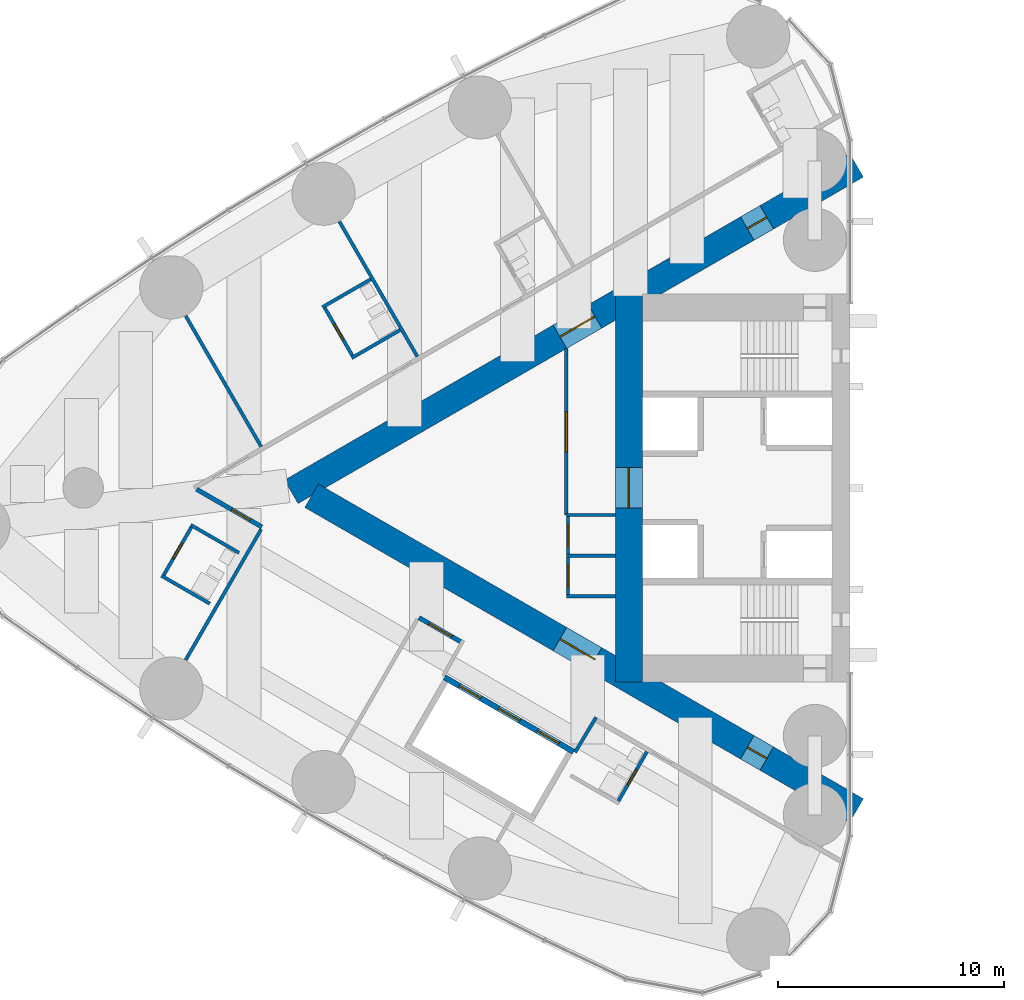
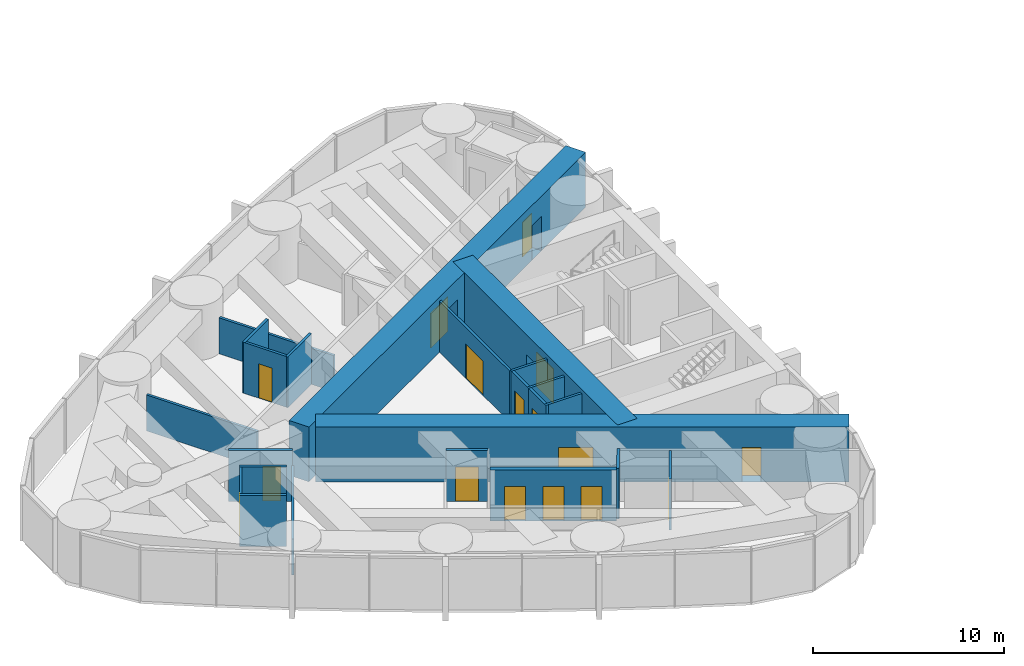
# One storey, part 12 of 19: 23 walls, 16 doors, 16 openings.
"""IFC4 building model written with IfcOpenShell, lengths in metres."""

import ifcopenshell
import ifcopenshell.guid

model = None  # the IFC model being written
_history = None  # IfcOwnerHistory: only IFC2X3 demands one
_inside = {}  # id of a spatial element -> (the spatial element, [elements in it])
_under = {}  # id of a project, library or spatial element -> (it, [spatial elements below it])
_declared = {}  # id of a project -> (the project, [libraries it declares])
_typed = {}  # id of a type object -> (the type object, [elements of that type])
_made_of = {}  # id of a material, layer set ... -> (it, [elements and type objects made of it])


def new_model(schema):
    """Start an empty IFC model of exactly this schema.

    Asked for "IFC4X3", IfcOpenShell would pick the latest addendum, in which some entities
    have other attributes; the version numbers below select the first issue.
    IFC2X3 requires an IfcOwnerHistory on every rooted entity: one is made here for all.
    """
    global model, _history
    if schema == "IFC4X3":
        model = ifcopenshell.file(schema_version=(4, 3, 0, 0))
    else:
        model = ifcopenshell.file(schema=schema)
    _inside.clear()
    _under.clear()
    _declared.clear()
    _typed.clear()
    _made_of.clear()
    _history = None
    if model.schema == "IFC2X3":
        org = make("IfcOrganization", Name="unknown")
        user = make(
            "IfcPersonAndOrganization",
            ThePerson=make("IfcPerson", FamilyName="unknown"),
            TheOrganization=org,
        )
        app = make(
            "IfcApplication",
            ApplicationDeveloper=org,
            Version="unknown",
            ApplicationFullName="unknown",
            ApplicationIdentifier="unknown",
        )
        _history = make(
            "IfcOwnerHistory",
            OwningUser=user,
            OwningApplication=app,
            ChangeAction="ADDED",
            CreationDate=0,
        )
    return model


def make(cls, **values):
    """One entity of the class cls with the attributes given. An attribute that is None is left unset."""
    return model.create_entity(
        cls, **{name: value for name, value in values.items() if value is not None}
    )


def rooted(cls, **values):
    """An entity with a GlobalId (a new one), such as an element, a storey or a relation."""
    return make(cls, GlobalId=ifcopenshell.guid.new(), OwnerHistory=_history, **values)


def si_unit(unit_type, name, prefix=None):
    """IfcSIUnit, for example si_unit("LENGTHUNIT", "METRE", prefix="MILLI")."""
    return make("IfcSIUnit", UnitType=unit_type, Prefix=prefix, Name=name)


def assignment(units):
    """IfcUnitAssignment: the units of a project."""
    return None if units is None else make("IfcUnitAssignment", Units=units)


def point(xyz):
    """IfcCartesianPoint."""
    return None if xyz is None else make("IfcCartesianPoint", Coordinates=xyz)


def direction(xyz):
    """IfcDirection."""
    return None if xyz is None else make("IfcDirection", DirectionRatios=xyz)


def frame(location, z_axis=None, x_axis=None):
    """IfcAxis2Placement3D, a coordinate frame: its origin and axes. An axis left out is left unset."""
    return make(
        "IfcAxis2Placement3D",
        Location=point(location),
        Axis=direction(z_axis),
        RefDirection=direction(x_axis),
    )


def frame_2d(location, x_axis=None):
    """IfcAxis2Placement2D, a coordinate frame in the plane: its origin and x axis."""
    return make(
        "IfcAxis2Placement2D", Location=point(location), RefDirection=direction(x_axis)
    )


def origin():
    """The frame at (0, 0, 0) with its axes left unset."""
    return frame((0.0, 0.0, 0.0))


def place(relative_to, where):
    """IfcLocalPlacement: puts the frame where relative to a parent placement (None: the world)."""
    return make(
        "IfcLocalPlacement", PlacementRelTo=relative_to, RelativePlacement=where
    )


def context(
    kind, dimensions, precision=None, world=None, true_north=None, identifier=None
):
    """IfcGeometricRepresentationContext, for example the 3D "Model" context."""
    return make(
        "IfcGeometricRepresentationContext",
        ContextIdentifier=identifier,
        ContextType=kind,
        CoordinateSpaceDimension=dimensions,
        Precision=precision,
        WorldCoordinateSystem=world,
        TrueNorth=true_north,
    )


def subcontext(parent, identifier, kind, view, scale=None):
    """IfcGeometricRepresentationSubContext, for example "Body" below "Model"."""
    return make(
        "IfcGeometricRepresentationSubContext",
        ContextIdentifier=identifier,
        ContextType=kind,
        ParentContext=parent,
        TargetScale=scale,
        TargetView=view,
    )


def project(units=None, contexts=None):
    """IfcProject with its units and contexts."""
    return rooted(
        "IfcProject",
        Name="project",
        RepresentationContexts=contexts,
        UnitsInContext=assignment(units),
    )


def spatial(cls, under=None, at=None, **own):
    """A site, building, storey or space (cls), placed at a placement, below another one or the project."""
    s = rooted(cls, ObjectPlacement=at, **own)
    if under is not None:
        _under.setdefault(under.id(), (under, []))[1].append(s)
    return s


def profile(cls, at=None, kind="AREA", **sizes):
    """A parametric profile (cls). Its sizes go by their IFC names, for example OverallWidth=200.0."""
    return make(cls, ProfileType=kind, Position=at, **sizes)


def rectangle(**sizes):
    """IfcRectangleProfileDef."""
    return profile("IfcRectangleProfileDef", **sizes)


def extrude(swept, where, along, depth):
    """IfcExtrudedAreaSolid: the profile swept, set in the frame where, extruded along a direction by depth."""
    return make(
        "IfcExtrudedAreaSolid",
        SweptArea=swept,
        Position=where,
        ExtrudedDirection=direction(along),
        Depth=depth,
    )


def shape(context_of_items, identifier, shape_type, items):
    """IfcShapeRepresentation: the items that make up one representation, for example the "Body"."""
    return make(
        "IfcShapeRepresentation",
        ContextOfItems=context_of_items,
        RepresentationIdentifier=identifier,
        RepresentationType=shape_type,
        Items=items,
    )


def material(Name=None, Category=None):
    """IfcMaterial."""
    return make("IfcMaterial", Name=Name, Category=Category)


def layer(
    of_material, thickness, ventilated=None, Name=None, Category=None, Priority=None
):
    """IfcMaterialLayer: one layer of a wall or slab, of a material (None: an air gap)."""
    return make(
        "IfcMaterialLayer",
        Material=of_material,
        LayerThickness=thickness,
        IsVentilated=ventilated,
        Name=Name,
        Category=Category,
        Priority=Priority,
    )


def layer_set(layers, Name=None):
    """IfcMaterialLayerSet."""
    return make("IfcMaterialLayerSet", MaterialLayers=layers, LayerSetName=Name)


def made_of(thing, what):
    """Note that an element or type object is made of a material, layer set ...; save() writes the relation."""
    if what is not None:
        _made_of.setdefault(what.id(), (what, []))[1].append(thing)
    return thing


def type_object(cls, material=None, **own):
    """A type object (cls), such as IfcWallType, which elements share."""
    return made_of(rooted(cls, **own), material)


def element(
    cls,
    number,
    at=None,
    inside=None,
    cuts=None,
    type_object=None,
    material=None,
    context=None,
    identifier="Body",
    shape_type=None,
    held_by="IfcProductDefinitionShape",
    body=None,
    shapes=None,
    **own,
):
    """One element of the class cls, such as IfcWall. Its Tag is "e" and its number.

    at: its placement. inside: the storey or other place that contains it. cuts: it is an
    opening in that element (IfcRelVoidsElement). A single representation is given by context,
    identifier, shape_type and body (its items); several are given by shapes. held_by: the class
    of the entity that holds the representations. save() writes the other relations.
    """
    e = rooted(cls, Tag="e%d" % number, ObjectPlacement=at, **own)
    if body is not None:
        shapes = [shape(context, identifier, shape_type, body)]
    if shapes is not None:
        e.Representation = make(held_by, Representations=shapes)
    if inside is not None:
        _inside.setdefault(inside.id(), (inside, []))[1].append(e)
    if cuts is not None:
        rooted(
            "IfcRelVoidsElement", RelatingBuildingElement=cuts, RelatedOpeningElement=e
        )
    if type_object is not None:
        _typed.setdefault(type_object.id(), (type_object, []))[1].append(e)
    return made_of(e, material)


def fill(opening, filler):
    """IfcRelFillsElement: the door or window that sits in an opening."""
    return rooted(
        "IfcRelFillsElement",
        RelatingOpeningElement=opening,
        RelatedBuildingElement=filler,
    )


def aggregate(whole, parts):
    """IfcRelAggregates: a whole, such as a stair, and the parts it consists of."""
    return rooted("IfcRelAggregates", RelatingObject=whole, RelatedObjects=parts)


def save(model, path):
    """Write the relations noted so far, then the file.

    IfcRelAggregates (storeys below a building ...), IfcRelContainedInSpatialStructure (elements
    in a storey), IfcRelDefinesByType, IfcRelAssociatesMaterial and IfcRelDeclares: one each for
    every whole, place, type object, material and project.
    """
    for whole, parts in _under.values():
        aggregate(whole, parts)
    for where, things in _inside.values():
        rooted(
            "IfcRelContainedInSpatialStructure",
            RelatedElements=things,
            RelatingStructure=where,
        )
    for kind, things in _typed.values():
        rooted("IfcRelDefinesByType", RelatedObjects=things, RelatingType=kind)
    for what, things in _made_of.values():
        rooted("IfcRelAssociatesMaterial", RelatedObjects=things, RelatingMaterial=what)
    for by, libraries in _declared.values():
        rooted("IfcRelDeclares", RelatingContext=by, RelatedDefinitions=libraries)
    model.write(path)


model = new_model("IFC4")

# Units and contexts
model_context = context("Model", 3, precision=1e-05, world=origin(), true_north=direction((0.0, 1.0)))
body_context = subcontext(model_context, "Body", "Model", "MODEL_VIEW")
ifc_project = project(units=[si_unit("LENGTHUNIT", "METRE"), si_unit("AREAUNIT", "SQUARE_METRE"), si_unit("VOLUMEUNIT", "CUBIC_METRE"), si_unit("PLANEANGLEUNIT", "RADIAN"), si_unit("MASSUNIT", "GRAM", prefix="KILO")], contexts=[model_context])

# Site, building, storey
site_placement = place(None, origin())
site = spatial("IfcSite", under=ifc_project, at=site_placement, CompositionType="ELEMENT")
building_placement = place(site_placement, origin())
building = spatial("IfcBuilding", under=site, at=building_placement, Name="Lancet Gate Hotel", CompositionType="ELEMENT")
storey_placement = place(building_placement, frame((0.0, 0.0, 191.300048828125)))
storey = spatial("IfcBuildingStorey", under=building, at=storey_placement, Name="L51", CompositionType="ELEMENT", Elevation=191.300048828125)

# Wall
ifc_material_1 = material(Name="Moisture resistant board partition")
ifc_layer_1 = layer(ifc_material_1, 0.14990234375)
ifc_layer_set_1 = layer_set([ifc_layer_1], Name="Bathroom wall 150")
wall_type_1 = type_object("IfcWallType", Name="Bathroom wall 150", PredefinedType="PARTITIONING", material=ifc_layer_set_1)
wall_1_placement = place(storey_placement, frame((-48.743896484375, 9.251708984375, 0.0), z_axis=(0.0, 0.0, 1.0), x_axis=(-0.866006523861, -0.500032699561, 0.0)))
element("IfcWall", 1, at=wall_1_placement, inside=storey, type_object=wall_type_1, Name="T1 bathroom wall 150 L51", PredefinedType="PARTITIONING", context=body_context, shape_type="SweptSolid", body=[
    extrude(rectangle(XDim=2.474853515625, YDim=0.14990234375, at=frame_2d((1.2373046875, 0.0))), origin(), (0.0, 0.0, 1.0), 3.25),
])

# Wall, opening, door
wall_2_placement = place(storey_placement, frame((-49.522216796875, 5.800048828125, 0.0), z_axis=(0.0, 0.0, 1.0), x_axis=(-0.500006934395, 0.866021400173, 0.0)))
wall_2 = element("IfcWall", 2, at=wall_2_placement, inside=storey, type_object=wall_type_1, Name="T1 bathroom wall 150 L51", PredefinedType="PARTITIONING", context=body_context, shape_type="SweptSolid", body=[
    extrude(rectangle(XDim=2.60009765625, YDim=0.14990234375, at=frame_2d((1.300048828125, 0.0))), origin(), (0.0, 0.0, 1.0), 3.25),
])
opening_1_placement = place(wall_2_placement, frame((0.89990234375, 0.0, 0.0)))
opening_1 = element("IfcOpeningElement", 3, at=opening_1_placement, cuts=wall_2, Name="Opening 5103-B", PredefinedType="OPENING", context=body_context, shape_type="SweptSolid", body=[
    extrude(rectangle(XDim=0.800048828125, YDim=2.199951171875, at=frame_2d((0.39990234375, 1.10009765625))), frame((0.0, 0.0849609375, 0.0), z_axis=(0.0, -1.0, 0.0), x_axis=(1.0, 0.0, 0.0)), (0.0, 0.0, 1.0), 0.169921875),
])
ifc_material_2 = material(Name="Timber door set", Category="wood")
door_type_1 = type_object("IfcDoorType", Name="Bathroom door 800", OperationType="SINGLE_SWING_RIGHT", PredefinedType="DOOR", material=ifc_material_2)
door_1_placement = place(opening_1_placement, origin())
door_1 = element("IfcDoor", 4, at=door_1_placement, inside=storey, type_object=door_type_1, Name="5103-B", OperationType="SINGLE_SWING_RIGHT", OverallHeight=2.199951171875, OverallWidth=0.800048828125, PredefinedType="DOOR", context=body_context, shape_type="SweptSolid", body=[
    extrude(rectangle(XDim=0.800048828125, YDim=2.199951171875, at=frame_2d((0.39990234375, 1.10009765625))), frame((0.0, 0.02490234375, 0.0), z_axis=(0.0, -1.0, 0.0), x_axis=(1.0, 0.0, 0.0)), (0.0, 0.0, 1.0), 0.050048828125),
])
fill(opening_1, door_1)

# Walls
for number, where, z_axis, x_axis, name in (
    (5, (-47.44384765625, 7.0, 0.0), (0.0, 0.0, 1.0), (-0.866006523861, -0.500032699561, 0.0), "T1 bathroom wall 150 L51"),
    (6, (-55.883544921875, -5.129638671875, 0.0), (0.0, 0.0, 1.0), (-0.866006523861, 0.500032699561, 0.0), "T1 bathroom wall 150 L51"),
):
    element("IfcWall", number, at=place(storey_placement, frame(where, z_axis=z_axis, x_axis=x_axis)), inside=storey, type_object=wall_type_1, Name=name, PredefinedType="PARTITIONING", context=body_context, shape_type="SweptSolid", body=[
        extrude(rectangle(XDim=2.474853515625, YDim=0.14990234375, at=frame_2d((1.2373046875, 0.0))), origin(), (0.0, 0.0, 1.0), 3.25),
    ])

# Wall, opening, door
wall_3_placement = place(storey_placement, frame((-56.661865234375, -1.677978515625, 0.0), z_axis=(0.0, 0.0, 1.0), x_axis=(-0.500006934395, -0.866021400173, 0.0)))
wall_3 = element("IfcWall", 7, at=wall_3_placement, inside=storey, type_object=wall_type_1, Name="T1 bathroom wall 150 L51", PredefinedType="PARTITIONING", context=body_context, shape_type="SweptSolid", body=[
    extrude(rectangle(XDim=2.60009765625, YDim=0.14990234375, at=frame_2d((1.300048828125, 0.0))), origin(), (0.0, 0.0, 1.0), 3.25),
])
opening_2_placement = place(wall_3_placement, frame((0.89990234375, 0.0, 0.0)))
opening_2 = element("IfcOpeningElement", 8, at=opening_2_placement, cuts=wall_3, Name="Opening 5105-B", PredefinedType="OPENING", context=body_context, shape_type="SweptSolid", body=[
    extrude(rectangle(XDim=0.800048828125, YDim=2.199951171875, at=frame_2d((0.39990234375, 1.10009765625))), frame((0.0, 0.0849609375, 0.0), z_axis=(0.0, -1.0, 0.0), x_axis=(1.0, 0.0, 0.0)), (0.0, 0.0, 1.0), 0.169921875),
])
door_2_placement = place(opening_2_placement, origin())
door_2 = element("IfcDoor", 9, at=door_2_placement, inside=storey, type_object=door_type_1, Name="5105-B", OperationType="SINGLE_SWING_RIGHT", OverallHeight=2.199951171875, OverallWidth=0.800048828125, PredefinedType="DOOR", context=body_context, shape_type="SweptSolid", body=[
    extrude(rectangle(XDim=0.800048828125, YDim=2.199951171875, at=frame_2d((0.39990234375, 1.10009765625))), frame((0.0, 0.02490234375, 0.0), z_axis=(0.0, -1.0, 0.0), x_axis=(1.0, 0.0, 0.0)), (0.0, 0.0, 1.0), 0.050048828125),
])
fill(opening_2, door_2)

# Wall
wall_4_placement = place(storey_placement, frame((-54.58349609375, -2.8779296875, 0.0), z_axis=(0.0, 0.0, 1.0), x_axis=(-0.866006523861, 0.500032699561, 0.0)))
element("IfcWall", 10, at=wall_4_placement, inside=storey, type_object=wall_type_1, Name="T1 bathroom wall 150 L51", PredefinedType="PARTITIONING", context=body_context, shape_type="SweptSolid", body=[
    extrude(rectangle(XDim=2.474853515625, YDim=0.14990234375, at=frame_2d((1.2373046875, 0.0))), origin(), (0.0, 0.0, 1.0), 3.25),
])

# Wall, opening, door
wall_5_placement = place(storey_placement, frame((-36.5029296875, -11.7001953125, 0.0), z_axis=(0.0, 0.0, 1.0), x_axis=(-0.500006934395, -0.866021400173, 0.0)))
wall_5 = element("IfcWall", 11, at=wall_5_placement, inside=storey, type_object=wall_type_1, Name="T1 bathroom wall 150 L51", PredefinedType="PARTITIONING", context=body_context, shape_type="SweptSolid", body=[
    extrude(rectangle(XDim=2.60009765625, YDim=0.14990234375, at=frame_2d((1.300048828125, 0.0))), origin(), (0.0, 0.0, 1.0), 3.25),
])
opening_3_placement = place(wall_5_placement, frame((0.89990234375, 0.0, 0.0)))
opening_3 = element("IfcOpeningElement", 12, at=opening_3_placement, cuts=wall_5, Name="Opening 5108-B", PredefinedType="OPENING", context=body_context, shape_type="SweptSolid", body=[
    extrude(rectangle(XDim=0.800048828125, YDim=2.199951171875, at=frame_2d((0.39990234375, 1.10009765625))), frame((0.0, 0.0849609375, 0.0), z_axis=(0.0, -1.0, 0.0), x_axis=(1.0, 0.0, 0.0)), (0.0, 0.0, 1.0), 0.169921875),
])
door_3_placement = place(opening_3_placement, origin())
door_3 = element("IfcDoor", 13, at=door_3_placement, inside=storey, type_object=door_type_1, Name="5108-B", OperationType="SINGLE_SWING_RIGHT", OverallHeight=2.199951171875, OverallWidth=0.800048828125, PredefinedType="DOOR", context=body_context, shape_type="SweptSolid", body=[
    extrude(rectangle(XDim=0.800048828125, YDim=2.199951171875, at=frame_2d((0.39990234375, 1.10009765625))), frame((0.0, 0.02490234375, 0.0), z_axis=(0.0, -1.0, 0.0), x_axis=(1.0, 0.0, 0.0)), (0.0, 0.0, 1.0), 0.050048828125),
])
fill(opening_3, door_3)

# Wall, openings, doors
ifc_material_3 = material(Name="Concrete C70/85", Category="concrete")
ifc_layer_2 = layer(ifc_material_3, 1.199951171875)
ifc_layer_set_2 = layer_set([ifc_layer_2], Name="Buttress wall 1200")
wall_type_2 = type_object("IfcWallType", Name="Buttress wall 1200", PredefinedType="SHEAR", material=ifc_layer_set_2)
wall_6_placement = place(storey_placement, frame((-27.199951171875, 14.300048828125, 0.0), z_axis=(0.0, 0.0, 1.0), x_axis=(-0.866026593062, -0.499997940104, 0.0)))
wall_6 = element("IfcWall", 14, at=wall_6_placement, inside=storey, type_object=wall_type_2, Name="T1 buttress wall S L51", PredefinedType="SHEAR", context=body_context, shape_type="SweptSolid", body=[
    extrude(rectangle(XDim=28.9462890625, YDim=1.199951171875, at=frame_2d((14.47314453125, 0.0))), origin(), (0.0, 0.0, 1.0), 3.5),
])
opening_4_placement = place(wall_6_placement, frame((4.60009765625, 0.0, 0.0)))
opening_4 = element("IfcOpeningElement", 15, at=opening_4_placement, cuts=wall_6, Name="Opening T1-L51-LS", PredefinedType="OPENING", context=body_context, shape_type="SweptSolid", body=[
    extrude(rectangle(XDim=1.0, YDim=2.199951171875, at=frame_2d((0.5, 1.10009765625))), frame((0.0, 0.60986328125, 0.0), z_axis=(0.0, -1.0, 0.0), x_axis=(1.0, 0.0, 0.0)), (0.0, 0.0, 1.0), 1.219970703125),
])
opening_5_placement = place(wall_6_placement, frame((13.39453125, 0.0, 0.0)))
opening_5 = element("IfcOpeningElement", 16, at=opening_5_placement, cuts=wall_6, Name="Opening T1-L51-LHS", PredefinedType="OPENING", context=body_context, shape_type="SweptSolid", body=[
    extrude(rectangle(XDim=1.800048828125, YDim=2.199951171875, at=frame_2d((0.89990234375, 1.10009765625))), frame((0.0, 0.60986328125, 0.0), z_axis=(0.0, -1.0, 0.0), x_axis=(1.0, 0.0, 0.0)), (0.0, 0.0, 1.0), 1.219970703125),
])
ifc_material_4 = material(Name="Timber door set", Category="wood")
door_type_2 = type_object("IfcDoorType", Name="Lobby double door 1800", OperationType="DOUBLE_DOOR_SINGLE_SWING", PredefinedType="DOOR", material=ifc_material_4)
door_4_placement = place(opening_5_placement, origin())
door_4 = element("IfcDoor", 17, at=door_4_placement, inside=storey, type_object=door_type_2, Name="T1-L51-LHS", OperationType="DOUBLE_DOOR_SINGLE_SWING", OverallHeight=2.199951171875, OverallWidth=1.800048828125, PredefinedType="DOOR", context=body_context, shape_type="SweptSolid", body=[
    extrude(rectangle(XDim=1.800048828125, YDim=2.199951171875, at=frame_2d((0.89990234375, 1.10009765625))), frame((0.0, 0.02490234375, 0.0), z_axis=(0.0, -1.0, 0.0), x_axis=(1.0, 0.0, 0.0)), (0.0, 0.0, 1.0), 0.050048828125),
])
fill(opening_5, door_4)
ifc_material_5 = material(Name="Timber door set", Category="wood")
door_type_3 = type_object("IfcDoorType", Name="Stair lobby door 1000", OperationType="SINGLE_SWING_LEFT", PredefinedType="DOOR", material=ifc_material_5)
door_5_placement = place(opening_4_placement, origin())
door_5 = element("IfcDoor", 18, at=door_5_placement, inside=storey, type_object=door_type_3, Name="T1-L51-LS", OperationType="SINGLE_SWING_LEFT", OverallHeight=2.199951171875, OverallWidth=1.0, PredefinedType="DOOR", context=body_context, shape_type="SweptSolid", body=[
    extrude(rectangle(XDim=1.0, YDim=2.199951171875, at=frame_2d((0.5, 1.10009765625))), frame((0.0, 0.02490234375, 0.0), z_axis=(0.0, -1.0, 0.0), x_axis=(1.0, 0.0, 0.0)), (0.0, 0.0, 1.0), 0.050048828125),
])
fill(opening_4, door_5)

wall_7_placement = place(storey_placement, frame((-27.199951171875, -14.300048828125, 0.0), z_axis=(0.0, 0.0, 1.0), x_axis=(-0.866024021859, 0.500002393557, 0.0)))
wall_7 = element("IfcWall", 19, at=wall_7_placement, inside=storey, type_object=wall_type_2, Name="T1 buttress wall N L51", PredefinedType="SHEAR", context=body_context, shape_type="SweptSolid", body=[
    extrude(rectangle(XDim=27.906982421875, YDim=1.199951171875, at=frame_2d((13.95361328125, 0.0))), origin(), (0.0, 0.0, 1.0), 3.5),
])
opening_6_placement = place(wall_7_placement, frame((4.60009765625, 0.0, 0.0)))
opening_6 = element("IfcOpeningElement", 20, at=opening_6_placement, cuts=wall_7, Name="Opening T1-L51-LN", PredefinedType="OPENING", context=body_context, shape_type="SweptSolid", body=[
    extrude(rectangle(XDim=1.0, YDim=2.199951171875, at=frame_2d((0.5, 1.10009765625))), frame((0.0, 0.60986328125, 0.0), z_axis=(0.0, -1.0, 0.0), x_axis=(1.0, 0.0, 0.0)), (0.0, 0.0, 1.0), 1.219970703125),
])
opening_7_placement = place(wall_7_placement, frame((13.39453125, 0.0, 0.0)))
opening_7 = element("IfcOpeningElement", 21, at=opening_7_placement, cuts=wall_7, Name="Opening T1-L51-LHN", PredefinedType="OPENING", context=body_context, shape_type="SweptSolid", body=[
    extrude(rectangle(XDim=1.800048828125, YDim=2.199951171875, at=frame_2d((0.89990234375, 1.10009765625))), frame((0.0, 0.60986328125, 0.0), z_axis=(0.0, -1.0, 0.0), x_axis=(1.0, 0.0, 0.0)), (0.0, 0.0, 1.0), 1.219970703125),
])
door_6_placement = place(opening_7_placement, origin())
door_6 = element("IfcDoor", 22, at=door_6_placement, inside=storey, type_object=door_type_2, Name="T1-L51-LHN", OperationType="DOUBLE_DOOR_SINGLE_SWING", OverallHeight=2.199951171875, OverallWidth=1.800048828125, PredefinedType="DOOR", context=body_context, shape_type="SweptSolid", body=[
    extrude(rectangle(XDim=1.800048828125, YDim=2.199951171875, at=frame_2d((0.89990234375, 1.10009765625))), frame((0.0, 0.02490234375, 0.0), z_axis=(0.0, -1.0, 0.0), x_axis=(1.0, 0.0, 0.0)), (0.0, 0.0, 1.0), 0.050048828125),
])
fill(opening_7, door_6)
door_7_placement = place(opening_6_placement, origin())
door_7 = element("IfcDoor", 23, at=door_7_placement, inside=storey, type_object=door_type_3, Name="T1-L51-LN", OperationType="SINGLE_SWING_LEFT", OverallHeight=2.199951171875, OverallWidth=1.0, PredefinedType="DOOR", context=body_context, shape_type="SweptSolid", body=[
    extrude(rectangle(XDim=1.0, YDim=2.199951171875, at=frame_2d((0.5, 1.10009765625))), frame((0.0, 0.02490234375, 0.0), z_axis=(0.0, -1.0, 0.0), x_axis=(1.0, 0.0, 0.0)), (0.0, 0.0, 1.0), 0.050048828125),
])
fill(opening_6, door_7)

# Wall, opening, door
ifc_material_6 = material(Name="Concrete C70/85", Category="concrete")
ifc_layer_3 = layer(ifc_material_6, 1.199951171875)
ifc_layer_set_3 = layer_set([ifc_layer_3], Name="Core wall 1200")
wall_type_3 = type_object("IfcWallType", Name="Core wall 1200", PredefinedType="SHEAR", material=ifc_layer_set_3)
wall_8_placement = place(storey_placement, frame((-37.300048828125, 8.60009765625, 0.0), z_axis=(0.0, 0.0, 1.0), x_axis=(0.0, -1.0, 0.0)))
wall_8 = element("IfcWall", 24, at=wall_8_placement, inside=storey, type_object=wall_type_3, Name="T1 core wall back L51", PredefinedType="SHEAR", context=body_context, shape_type="SweptSolid", body=[
    extrude(rectangle(XDim=17.2001953125, YDim=1.199951171875, at=frame_2d((8.60009765625, 0.0))), origin(), (0.0, 0.0, 1.0), 3.5),
])
opening_8_placement = place(wall_8_placement, frame((7.699951171875, 0.0, 0.0)))
opening_8 = element("IfcOpeningElement", 25, at=opening_8_placement, cuts=wall_8, Name="Opening T1-L51-LL", PredefinedType="OPENING", context=body_context, shape_type="SweptSolid", body=[
    extrude(rectangle(XDim=1.800048828125, YDim=2.199951171875, at=frame_2d((0.89990234375, 1.10009765625))), frame((0.0, 0.60986328125, 0.0), z_axis=(0.0, -1.0, 0.0), x_axis=(1.0, 0.0, 0.0)), (0.0, 0.0, 1.0), 1.219970703125),
])
door_8_placement = place(opening_8_placement, origin())
door_8 = element("IfcDoor", 26, at=door_8_placement, inside=storey, type_object=door_type_2, Name="T1-L51-LL", OperationType="DOUBLE_DOOR_SINGLE_SWING", OverallHeight=2.199951171875, OverallWidth=1.800048828125, PredefinedType="DOOR", context=body_context, shape_type="SweptSolid", body=[
    extrude(rectangle(XDim=1.800048828125, YDim=2.199951171875, at=frame_2d((0.89990234375, 1.10009765625))), frame((0.0, 0.02490234375, 0.0), z_axis=(0.0, -1.0, 0.0), x_axis=(1.0, 0.0, 0.0)), (0.0, 0.0, 1.0), 0.050048828125),
])
fill(opening_8, door_8)

ifc_material_7 = material(Name="Gypsum board partition")
ifc_layer_4 = layer(ifc_material_7, 0.199951171875)
ifc_layer_set_4 = layer_set([ifc_layer_4], Name="Corridor wall 200")
wall_type_4 = type_object("IfcWallType", Name="Corridor wall 200", PredefinedType="PARTITIONING", material=ifc_layer_set_4)
wall_9_placement = place(storey_placement, frame((-44.715087890625, -6.843505859375, 0.0), z_axis=(0.0, 0.0, 1.0), x_axis=(-0.865999496279, 0.500044870432, 0.0)))
wall_9 = element("IfcWall", 27, at=wall_9_placement, inside=storey, type_object=wall_type_4, Name="T1 corridor wall 200 L51", PredefinedType="PARTITIONING", context=body_context, shape_type="SweptSolid", body=[
    extrude(rectangle(XDim=2.184814453125, YDim=0.199951171875, at=frame_2d((1.09228515625, 0.0))), origin(), (0.0, 0.0, 1.0), 3.25),
])
opening_9_placement = place(wall_9_placement, frame((0.5, 0.0, 0.0)))
opening_9 = element("IfcOpeningElement", 28, at=opening_9_placement, cuts=wall_9, Name="Opening T1-L51-LO1", PredefinedType="OPENING", context=body_context, shape_type="SweptSolid", body=[
    extrude(rectangle(XDim=1.18505859375, YDim=2.199951171875, at=frame_2d((0.592529296875, 1.10009765625))), frame((0.0, 0.10986328125, 0.0), z_axis=(0.0, -1.0, 0.0), x_axis=(1.0, 0.0, 0.0)), (0.0, 0.0, 1.0), 0.219970703125),
])
ifc_material_8 = material(Name="Timber door set", Category="wood")
door_type_4 = type_object("IfcDoorType", Name="Guest room entry door 950", OperationType="SINGLE_SWING_LEFT", PredefinedType="DOOR", material=ifc_material_8)
door_9_placement = place(opening_9_placement, origin())
door_9 = element("IfcDoor", 29, at=door_9_placement, inside=storey, type_object=door_type_4, Name="T1-L51-LO1", OperationType="SINGLE_SWING_LEFT", OverallHeight=2.199951171875, OverallWidth=1.18505859375, PredefinedType="DOOR", context=body_context, shape_type="SweptSolid", body=[
    extrude(rectangle(XDim=1.18505859375, YDim=2.199951171875, at=frame_2d((0.592529296875, 1.10009765625))), frame((0.0, 0.02490234375, 0.0), z_axis=(0.0, -1.0, 0.0), x_axis=(1.0, 0.0, 0.0)), (0.0, 0.0, 1.0), 0.050048828125),
])
fill(opening_9, door_9)

wall_10_placement = place(storey_placement, frame((-53.57373046875, -1.72900390625, 0.0), z_axis=(0.0, 0.0, 1.0), x_axis=(-0.866019930389, 0.500009480079, 0.0)))
wall_10 = element("IfcWall", 30, at=wall_10_placement, inside=storey, type_object=wall_type_4, Name="T1 corridor wall 200 L51", PredefinedType="PARTITIONING", context=body_context, shape_type="SweptSolid", body=[
    extrude(rectangle(XDim=3.337890625, YDim=0.199951171875, at=frame_2d((1.6689453125, 0.0))), origin(), (0.0, 0.0, 1.0), 3.25),
])
opening_10_placement = place(wall_10_placement, frame((0.60009765625, 0.0, 0.0)))
opening_10 = element("IfcOpeningElement", 31, at=opening_10_placement, cuts=wall_10, Name="Opening 5105-E", PredefinedType="OPENING", context=body_context, shape_type="SweptSolid", body=[
    extrude(rectangle(XDim=0.949951171875, YDim=2.199951171875, at=frame_2d((0.47509765625, 1.10009765625))), frame((0.0, 0.10986328125, 0.0), z_axis=(0.0, -1.0, 0.0), x_axis=(1.0, 0.0, 0.0)), (0.0, 0.0, 1.0), 0.219970703125),
])
door_10_placement = place(opening_10_placement, origin())
door_10 = element("IfcDoor", 32, at=door_10_placement, inside=storey, type_object=door_type_4, Name="5105-E", OperationType="SINGLE_SWING_LEFT", OverallHeight=2.199951171875, OverallWidth=0.949951171875, PredefinedType="DOOR", context=body_context, shape_type="SweptSolid", body=[
    extrude(rectangle(XDim=0.949951171875, YDim=2.199951171875, at=frame_2d((0.47509765625, 1.10009765625))), frame((0.0, 0.02490234375, 0.0), z_axis=(0.0, -1.0, 0.0), x_axis=(1.0, 0.0, 0.0)), (0.0, 0.0, 1.0), 0.050048828125),
])
fill(opening_10, door_10)

# Wall, openings, doors
ifc_material_9 = material(Name="Gypsum board partition")
ifc_layer_5 = layer(ifc_material_9, 0.25)
ifc_layer_set_5 = layer_set([ifc_layer_5], Name="Lift shaft partition 250")
wall_type_5 = type_object("IfcWallType", Name="Lift shaft partition 250", PredefinedType="PARTITIONING", material=ifc_layer_set_5)
wall_11_placement = place(storey_placement, frame((-39.757568359375, -11.697265625, 0.0), z_axis=(0.0, 0.0, 1.0), x_axis=(-0.866024194504, 0.500002094529, 0.0)))
wall_11 = element("IfcWall", 33, at=wall_11_placement, inside=storey, type_object=wall_type_5, Name="T1 lift shaft wall HL L51", PredefinedType="PARTITIONING", context=body_context, shape_type="SweptSolid", body=[
    extrude(rectangle(XDim=6.60009765625, YDim=0.25, at=frame_2d((3.300048828125, 0.0))), origin(), (0.0, 0.0, 1.0), 3.25),
])
opening_11_placement = place(wall_11_placement, frame((0.75, 0.0, 0.0)))
opening_11 = element("IfcOpeningElement", 34, at=opening_11_placement, cuts=wall_11, Name="Opening T1-HL1-L51", PredefinedType="OPENING", context=body_context, shape_type="SweptSolid", body=[
    extrude(rectangle(XDim=1.10009765625, YDim=2.199951171875, at=frame_2d((0.550048828125, 1.10009765625))), frame((0.0, 0.135009765625, 0.0), z_axis=(0.0, -1.0, 0.0), x_axis=(1.0, 0.0, 0.0)), (0.0, 0.0, 1.0), 0.27001953125),
])
opening_12_placement = place(wall_11_placement, frame((2.75, 0.0, 0.0)))
opening_12 = element("IfcOpeningElement", 35, at=opening_12_placement, cuts=wall_11, Name="Opening T1-HL2-L51", PredefinedType="OPENING", context=body_context, shape_type="SweptSolid", body=[
    extrude(rectangle(XDim=1.10009765625, YDim=2.199951171875, at=frame_2d((0.550048828125, 1.10009765625))), frame((0.0, 0.135009765625, 0.0), z_axis=(0.0, -1.0, 0.0), x_axis=(1.0, 0.0, 0.0)), (0.0, 0.0, 1.0), 0.27001953125),
])
opening_13_placement = place(wall_11_placement, frame((4.75, 0.0, 0.0)))
opening_13 = element("IfcOpeningElement", 36, at=opening_13_placement, cuts=wall_11, Name="Opening T1-HL3-L51", PredefinedType="OPENING", context=body_context, shape_type="SweptSolid", body=[
    extrude(rectangle(XDim=1.10009765625, YDim=2.199951171875, at=frame_2d((0.550048828125, 1.10009765625))), frame((0.0, 0.135009765625, 0.0), z_axis=(0.0, -1.0, 0.0), x_axis=(1.0, 0.0, 0.0)), (0.0, 0.0, 1.0), 0.27001953125),
])
ifc_material_10 = material(Name="Steel door set", Category="steel")
door_type_5 = type_object("IfcDoorType", Name="Lift landing door 1100", OperationType="DOUBLE_DOOR_SLIDING", PredefinedType="USERDEFINED", material=ifc_material_10)
door_11_placement = place(opening_11_placement, origin())
door_11 = element("IfcDoor", 37, at=door_11_placement, inside=storey, type_object=door_type_5, Name="T1-HL1-L51", ObjectType="LIFT LANDING DOOR", OperationType="DOUBLE_DOOR_SLIDING", OverallHeight=2.199951171875, OverallWidth=1.10009765625, PredefinedType="USERDEFINED", context=body_context, shape_type="SweptSolid", body=[
    extrude(rectangle(XDim=1.10009765625, YDim=2.199951171875, at=frame_2d((0.550048828125, 1.10009765625))), frame((0.0, 0.02490234375, 0.0), z_axis=(0.0, -1.0, 0.0), x_axis=(1.0, 0.0, 0.0)), (0.0, 0.0, 1.0), 0.050048828125),
])
fill(opening_11, door_11)
door_12_placement = place(opening_12_placement, origin())
door_12 = element("IfcDoor", 38, at=door_12_placement, inside=storey, type_object=door_type_5, Name="T1-HL2-L51", ObjectType="LIFT LANDING DOOR", OperationType="DOUBLE_DOOR_SLIDING", OverallHeight=2.199951171875, OverallWidth=1.10009765625, PredefinedType="USERDEFINED", context=body_context, shape_type="SweptSolid", body=[
    extrude(rectangle(XDim=1.10009765625, YDim=2.199951171875, at=frame_2d((0.550048828125, 1.10009765625))), frame((0.0, 0.02490234375, 0.0), z_axis=(0.0, -1.0, 0.0), x_axis=(1.0, 0.0, 0.0)), (0.0, 0.0, 1.0), 0.050048828125),
])
fill(opening_12, door_12)
door_13_placement = place(opening_13_placement, origin())
door_13 = element("IfcDoor", 39, at=door_13_placement, inside=storey, type_object=door_type_5, Name="T1-HL3-L51", ObjectType="LIFT LANDING DOOR", OperationType="DOUBLE_DOOR_SLIDING", OverallHeight=2.199951171875, OverallWidth=1.10009765625, PredefinedType="USERDEFINED", context=body_context, shape_type="SweptSolid", body=[
    extrude(rectangle(XDim=1.10009765625, YDim=2.199951171875, at=frame_2d((0.550048828125, 1.10009765625))), frame((0.0, 0.02490234375, 0.0), z_axis=(0.0, -1.0, 0.0), x_axis=(1.0, 0.0, 0.0)), (0.0, 0.0, 1.0), 0.050048828125),
])
fill(opening_13, door_13)

# Walls
ifc_material_11 = material(Name="Gypsum board partition")
ifc_layer_6 = layer(ifc_material_11, 0.14990234375)
ifc_layer_set_6 = layer_set([ifc_layer_6], Name="Party wall 150")
wall_type_6 = type_object("IfcWallType", Name="Party wall 150", PredefinedType="PARTITIONING", material=ifc_layer_set_6)
wall_12_placement = place(storey_placement, frame((-46.6787109375, 5.8251953125, 0.0), z_axis=(0.0, 0.0, 1.0), x_axis=(-0.500006839597, 0.866021454905, 0.0)))
element("IfcWall", 40, at=wall_12_placement, inside=storey, type_object=wall_type_6, Name="T1 party wall 150 L51", PredefinedType="PARTITIONING", context=body_context, shape_type="SweptSolid", body=[
    extrude(rectangle(XDim=6.9111328125, YDim=0.14990234375, at=frame_2d((3.45556640625, 0.0))), origin(), (0.0, 0.0, 1.0), 2.300048828125),
])
for number, where, z_axis, x_axis, name in (
    (41, (-53.60205078125, 1.828125, 0.0), (0.0, 0.0, 1.0), (-0.49999191814, 0.866030069798, 0.0), "T1 party wall 150 L51"),
    (42, (-53.60205078125, -1.828125, 0.0), (0.0, 0.0, 1.0), (-0.49999191814, -0.866030069798, 0.0), "T1 party wall 150 L51"),
):
    element("IfcWall", number, at=place(storey_placement, frame(where, z_axis=z_axis, x_axis=x_axis)), inside=storey, type_object=wall_type_6, Name=name, PredefinedType="PARTITIONING", context=body_context, shape_type="SweptSolid", body=[
        extrude(rectangle(XDim=6.6923828125, YDim=0.14990234375, at=frame_2d((3.34619140625, 0.0))), origin(), (0.0, 0.0, 1.0), 2.300048828125),
    ])
ifc_material_12 = material(Name="Gypsum board partition")
ifc_layer_7 = layer(ifc_material_12, 0.14990234375)
ifc_layer_set_7 = layer_set([ifc_layer_7], Name="Service room wall 150")
wall_type_7 = type_object("IfcWallType", Name="Service room wall 150", PredefinedType="PARTITIONING", material=ifc_layer_set_7)
wall_13_placement = place(storey_placement, frame((-39.6826171875, -11.717529296875, 0.0), z_axis=(0.0, 0.0, 1.0), x_axis=(0.514336634837, 0.857588377991, 0.0)))
element("IfcWall", 43, at=wall_13_placement, inside=storey, type_object=wall_type_7, Name="T1 service room wall 150 L51", PredefinedType="PARTITIONING", context=body_context, shape_type="SweptSolid", body=[
    extrude(rectangle(XDim=1.80517578125, YDim=0.14990234375, at=frame_2d((0.902587890625, 0.0))), origin(), (0.0, 0.0, 1.0), 3.25),
])
for number, where, z_axis, x_axis, name in (
    (44, (-37.89990234375, -1.199951171875, 0.0), (0.0, 0.0, 1.0), (-1.0, 0.0, 0.0), "T1 service room wall 150 L51"),
    (45, (-37.89990234375, -3.0, 0.0), (0.0, 0.0, 1.0), (-1.0, 0.0, 0.0), "T1 service room wall 150 L51"),
    (46, (-37.89990234375, -4.800048828125, 0.0), (0.0, 0.0, 1.0), (-1.0, 0.0, 0.0), "T1 service room wall 150 L51"),
):
    element("IfcWall", number, at=place(storey_placement, frame(where, z_axis=z_axis, x_axis=x_axis)), inside=storey, type_object=wall_type_7, Name=name, PredefinedType="PARTITIONING", context=body_context, shape_type="SweptSolid", body=[
        extrude(rectangle(XDim=2.175048828125, YDim=0.14990234375, at=frame_2d((1.08740234375, 0.0))), origin(), (0.0, 0.0, 1.0), 3.25),
    ])

# Wall, opening, door
wall_14_placement = place(storey_placement, frame((-40.0, -1.125, 0.0), z_axis=(0.0, 0.0, 1.0), x_axis=(0.0, -1.0, 0.0)))
wall_14 = element("IfcWall", 47, at=wall_14_placement, inside=storey, type_object=wall_type_7, Name="T1 service room wall 150 L51", PredefinedType="PARTITIONING", context=body_context, shape_type="SweptSolid", body=[
    extrude(rectangle(XDim=1.949951171875, YDim=0.14990234375, at=frame_2d((0.97509765625, 0.0))), origin(), (0.0, 0.0, 1.0), 3.25),
])
opening_14_placement = place(wall_14_placement, frame((0.47509765625, 0.0, 0.0)))
opening_14 = element("IfcOpeningElement", 48, at=opening_14_placement, cuts=wall_14, Name="Opening T1-L51-HRN0", PredefinedType="OPENING", context=body_context, shape_type="SweptSolid", body=[
    extrude(rectangle(XDim=1.0, YDim=2.199951171875, at=frame_2d((0.5, 1.10009765625))), frame((0.0, 0.0849609375, 0.0), z_axis=(0.0, -1.0, 0.0), x_axis=(1.0, 0.0, 0.0)), (0.0, 0.0, 1.0), 0.169921875),
])
ifc_material_13 = material(Name="Timber door set", Category="wood")
door_type_6 = type_object("IfcDoorType", Name="Service door 1000", OperationType="SINGLE_SWING_LEFT", PredefinedType="DOOR", material=ifc_material_13)
door_14_placement = place(opening_14_placement, origin())
door_14 = element("IfcDoor", 49, at=door_14_placement, inside=storey, type_object=door_type_6, Name="T1-L51-HRN0", OperationType="SINGLE_SWING_LEFT", OverallHeight=2.199951171875, OverallWidth=1.0, PredefinedType="DOOR", context=body_context, shape_type="SweptSolid", body=[
    extrude(rectangle(XDim=1.0, YDim=2.199951171875, at=frame_2d((0.5, 1.10009765625))), frame((0.0, 0.02490234375, 0.0), z_axis=(0.0, -1.0, 0.0), x_axis=(1.0, 0.0, 0.0)), (0.0, 0.0, 1.0), 0.050048828125),
])
fill(opening_14, door_14)

wall_15_placement = place(storey_placement, frame((-40.0, -2.925048828125, 0.0), z_axis=(0.0, 0.0, 1.0), x_axis=(0.0, -1.0, 0.0)))
wall_15 = element("IfcWall", 50, at=wall_15_placement, inside=storey, type_object=wall_type_7, Name="T1 service room wall 150 L51", PredefinedType="PARTITIONING", context=body_context, shape_type="SweptSolid", body=[
    extrude(rectangle(XDim=1.949951171875, YDim=0.14990234375, at=frame_2d((0.97509765625, 0.0))), origin(), (0.0, 0.0, 1.0), 3.25),
])
opening_15_placement = place(wall_15_placement, frame((0.47509765625, 0.0, 0.0)))
opening_15 = element("IfcOpeningElement", 51, at=opening_15_placement, cuts=wall_15, Name="Opening T1-L51-HRN1", PredefinedType="OPENING", context=body_context, shape_type="SweptSolid", body=[
    extrude(rectangle(XDim=1.0, YDim=2.199951171875, at=frame_2d((0.5, 1.10009765625))), frame((0.0, 0.0849609375, 0.0), z_axis=(0.0, -1.0, 0.0), x_axis=(1.0, 0.0, 0.0)), (0.0, 0.0, 1.0), 0.169921875),
])
door_15_placement = place(opening_15_placement, origin())
door_15 = element("IfcDoor", 52, at=door_15_placement, inside=storey, type_object=door_type_6, Name="T1-L51-HRN1", OperationType="SINGLE_SWING_LEFT", OverallHeight=2.199951171875, OverallWidth=1.0, PredefinedType="DOOR", context=body_context, shape_type="SweptSolid", body=[
    extrude(rectangle(XDim=1.0, YDim=2.199951171875, at=frame_2d((0.5, 1.10009765625))), frame((0.0, 0.02490234375, 0.0), z_axis=(0.0, -1.0, 0.0), x_axis=(1.0, 0.0, 0.0)), (0.0, 0.0, 1.0), 0.050048828125),
])
fill(opening_15, door_15)

wall_16_placement = place(storey_placement, frame((-40.074951171875, 6.173828125, 0.0), z_axis=(0.0, 0.0, 1.0), x_axis=(0.0, -1.0, 0.0)))
wall_16 = element("IfcWall", 53, at=wall_16_placement, inside=storey, type_object=wall_type_7, Name="T1 service room wall 150 L51", PredefinedType="PARTITIONING", context=body_context, shape_type="SweptSolid", body=[
    extrude(rectangle(XDim=7.373779296875, YDim=0.14990234375, at=frame_2d((3.68701171875, 0.0))), origin(), (0.0, 0.0, 1.0), 3.25),
])
opening_16_placement = place(wall_16_placement, frame((2.786865234375, 0.0, 0.0)))
opening_16 = element("IfcOpeningElement", 54, at=opening_16_placement, cuts=wall_16, Name="Opening T1-L51-LH", PredefinedType="OPENING", context=body_context, shape_type="SweptSolid", body=[
    extrude(rectangle(XDim=1.800048828125, YDim=2.199951171875, at=frame_2d((0.89990234375, 1.10009765625))), frame((0.0, 0.0849609375, 0.0), z_axis=(0.0, -1.0, 0.0), x_axis=(1.0, 0.0, 0.0)), (0.0, 0.0, 1.0), 0.169921875),
])
door_16_placement = place(opening_16_placement, origin())
door_16 = element("IfcDoor", 55, at=door_16_placement, inside=storey, type_object=door_type_2, Name="T1-L51-LH", OperationType="DOUBLE_DOOR_SINGLE_SWING", OverallHeight=2.199951171875, OverallWidth=1.800048828125, PredefinedType="DOOR", context=body_context, shape_type="SweptSolid", body=[
    extrude(rectangle(XDim=1.800048828125, YDim=2.199951171875, at=frame_2d((0.89990234375, 1.10009765625))), frame((0.0, 0.02490234375, 0.0), z_axis=(0.0, -1.0, 0.0), x_axis=(1.0, 0.0, 0.0)), (0.0, 0.0, 1.0), 0.050048828125),
])
fill(opening_16, door_16)

save(model, "model.ifc")
